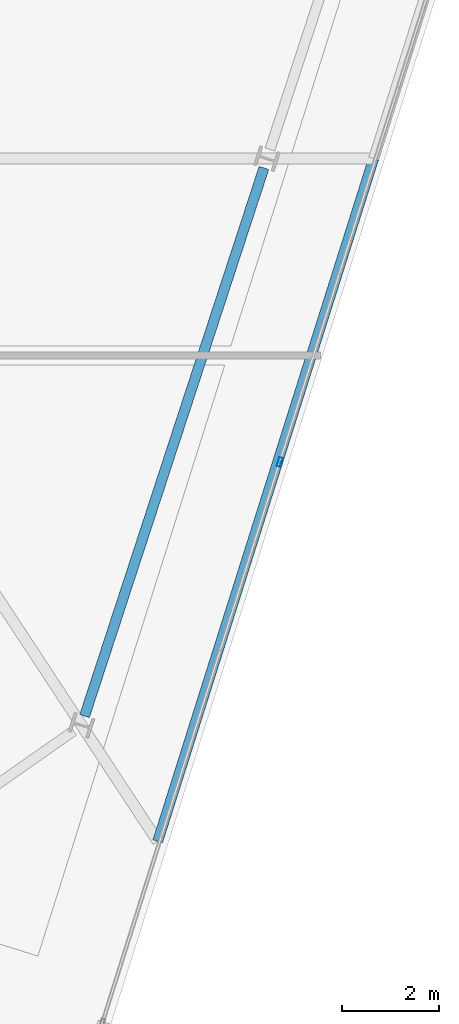
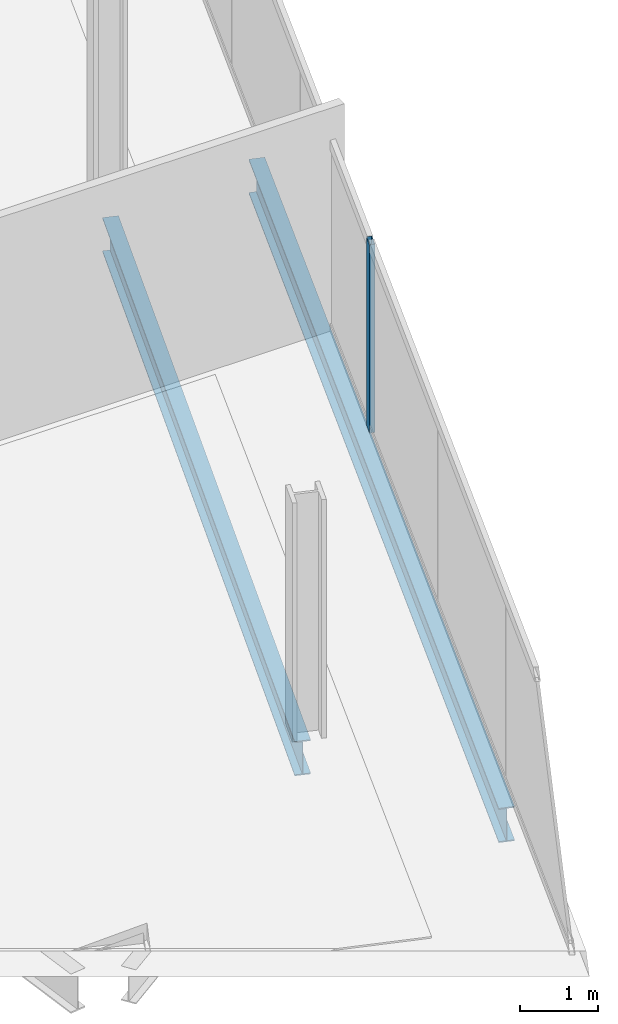
# One storey, part 8 of 26: 2 beams, 1 member, 1 element without a shape of its own.
"""IFC4 building model written with IfcOpenShell, lengths in metres."""

from ifc_helpers import new_model, si_unit, direction, frame, origin, origin_2d, place, context, subcontext, project, spatial, hollow_rectangle, i_section, extrude, material, material_profile, profile_set, type_object, element, aggregate, save


model = new_model("IFC4")

# Units and contexts
model_context = context("Model", 3, precision=1e-05, world=origin(), true_north=direction((0.0, 1.0)))
body_context = subcontext(model_context, "Body", "Model", "MODEL_VIEW")
ifc_project = project(units=[si_unit("LENGTHUNIT", "METRE"), si_unit("AREAUNIT", "SQUARE_METRE"), si_unit("VOLUMEUNIT", "CUBIC_METRE"), si_unit("PLANEANGLEUNIT", "RADIAN"), si_unit("MASSUNIT", "GRAM", prefix="KILO")], contexts=[model_context])

# Site, building, storey
site_placement = place(None, origin())
site = spatial("IfcSite", under=ifc_project, at=site_placement, CompositionType="ELEMENT")
building_placement = place(site_placement, origin())
building = spatial("IfcBuilding", under=site, at=building_placement, Name="Haldenkirk Collegiate Tower", CompositionType="ELEMENT")
storey_placement = place(building_placement, frame((0.0, 0.0, 271.199951171875)))
storey = spatial("IfcBuildingStorey", under=building, at=storey_placement, Name="L68", CompositionType="ELEMENT", Elevation=271.199951171875)

# Beams
ifc_material_1 = material(Name="Steel ASTM A992 Grade 50", Category="steel")
ifc_material_profile_1 = material_profile(ifc_material_1, i_section(OverallWidth=0.2099609375, OverallDepth=0.537109375, WebThickness=0.010986328125, FlangeThickness=0.017333984375, at=origin_2d()), Name="W21X68")
ifc_profile_set_1 = profile_set([ifc_material_profile_1], Name="Steel ASTM A992 Grade 50")
beam_type = type_object("IfcBeamType", Name="BM-SPANDREL-W21X68", PredefinedType="SPANDREL", material=ifc_profile_set_1)
beam_1_placement = place(storey_placement, frame((51.7060546875, 8.081298828125, -0.538330078125), z_axis=(0.311010188249, 0.950406577631, 0.0), x_axis=(-0.950406577631, 0.311010188249, 0.0)))
element("IfcBeam", 1, at=beam_1_placement, inside=storey, type_object=beam_type, Name="L68 perimeter spandrel beam 02", PredefinedType="SPANDREL", context=body_context, shape_type="SweptSolid", body=[
    extrude(i_section(OverallWidth=0.2099609375, OverallDepth=0.537109375, WebThickness=0.010986328125, FlangeThickness=0.017333984375, at=origin_2d()), origin(), (0.0, 0.0, 1.0), 11.94287109375),
])
beam_2_placement = place(storey_placement, frame((53.22119140625, 5.48681640625, -0.538330078125), z_axis=(0.301529288023, 0.953456914844, 0.0), x_axis=(-0.953456914844, 0.301529288023, 0.0)))
element("IfcBeam", 2, at=beam_2_placement, inside=storey, type_object=beam_type, Name="L68 outer facade edge beam 1A", PredefinedType="SPANDREL", context=body_context, shape_type="SweptSolid", body=[
    extrude(i_section(OverallWidth=0.2099609375, OverallDepth=0.537109375, WebThickness=0.010986328125, FlangeThickness=0.017333984375, at=origin_2d()), origin(), (0.0, 0.0, 1.0), 14.82763671875),
])

# Curtain wall, member
ifc_material_2 = material(Name="Anodised architectural bronze aluminium", Category="aluminium")
curtain_wall_type = type_object("IfcCurtainWallType", Name="CW-SYS2-CONCAVE", PredefinedType="USERDEFINED", material=ifc_material_2)
curtain_wall_placement = place(storey_placement, origin())
curtain_wall = element("IfcCurtainWall", 3, at=curtain_wall_placement, inside=storey, type_object=curtain_wall_type, Name="L68 South concave recessed bronze-anodised curtain wall", ObjectType="UNITISED CURTAIN WALL", PredefinedType="USERDEFINED")
ifc_material_profile_2 = material_profile(ifc_material_2, hollow_rectangle(XDim=0.074951171875, YDim=0.18994140625, WallThickness=0.0048828125, at=origin_2d()), Name="CW-MUL-02")
ifc_profile_set_2 = profile_set([ifc_material_profile_2], Name="Anodised architectural bronze aluminium")
member_type = type_object("IfcMemberType", Name="CW-MUL-02", PredefinedType="MULLION", material=ifc_profile_set_2)
member_placement = place(storey_placement, frame((55.74658203125, 13.33984375, 0.0), z_axis=(0.0, 0.0, 1.0), x_axis=(0.953454589166, -0.301536641884, 0.0)))
member = element("IfcMember", 4, at=member_placement, type_object=member_type, Name="CW-02 mullion 3", PredefinedType="MULLION", context=body_context, shape_type="SweptSolid", body=[
    extrude(hollow_rectangle(XDim=0.074951171875, YDim=0.18994140625, WallThickness=0.0048828125, at=origin_2d()), origin(), (0.0, 0.0, 1.0), 2.93798828125),
])
aggregate(curtain_wall, [member])

save(model, "model.ifc")
